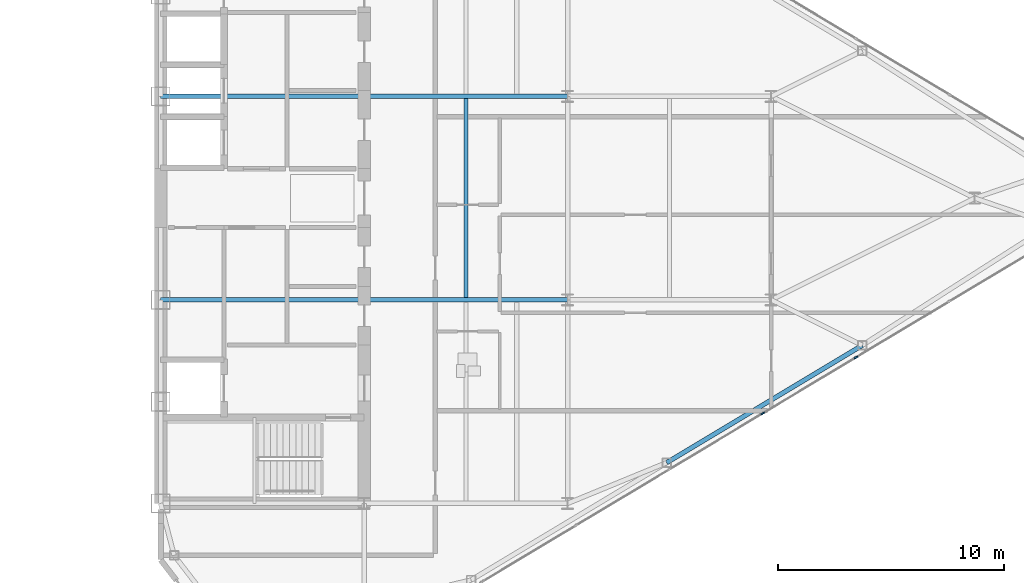
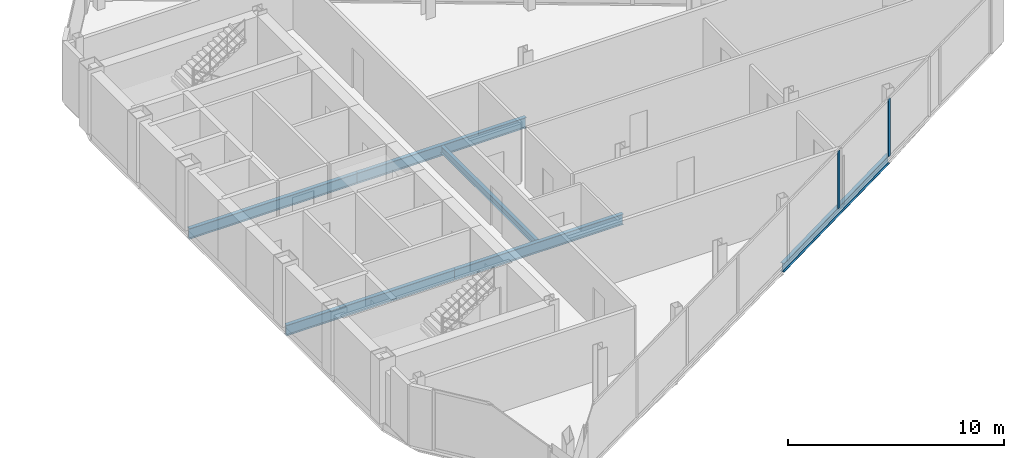
# One storey, part 13 of 25: 6 beams, 2 members, 1 element without a shape of its own.
"""IFC4 building model written with IfcOpenShell, lengths in metres."""

from ifc_helpers import new_model, si_unit, direction, frame, origin, origin_2d, place, context, subcontext, project, spatial, rectangle, i_section, extrude, source, transform, mapped, material, layer, layer_set, material_profile, profile_set, type_object, type_shapes, element, aggregate, save


model = new_model("IFC4")

# Units and contexts
model_context = context("Model", 3, precision=1e-05, world=origin(), true_north=direction((0.0, 1.0)))
body_context = subcontext(model_context, "Body", "Model", "MODEL_VIEW")
ifc_project = project(units=[si_unit("LENGTHUNIT", "METRE"), si_unit("AREAUNIT", "SQUARE_METRE"), si_unit("VOLUMEUNIT", "CUBIC_METRE"), si_unit("PLANEANGLEUNIT", "RADIAN"), si_unit("MASSUNIT", "GRAM", prefix="KILO")], contexts=[model_context])

# Site, building, storey
site_placement = place(None, origin())
site = spatial("IfcSite", under=ifc_project, at=site_placement, CompositionType="ELEMENT")
building_placement = place(site_placement, origin())
building = spatial("IfcBuilding", under=site, at=building_placement, Name="Seokmaru Belvedere", CompositionType="ELEMENT")
storey_placement = place(building_placement, frame((0.0, 0.0, 206.699951171875)))
storey = spatial("IfcBuildingStorey", under=building, at=storey_placement, Name="L55", CompositionType="ELEMENT", Elevation=206.699951171875)

# Beams
ifc_material_1 = material(Name="Steel SM355 (355 MPa)", Category="steel")
ifc_material_profile_1 = material_profile(ifc_material_1, i_section(OverallWidth=0.199951171875, OverallDepth=0.60009765625, WebThickness=0.010986328125, FlangeThickness=0.01708984375, at=origin_2d()), Name="H-600x200x11x17")
ifc_profile_set_1 = profile_set([ifc_material_profile_1], Name="Steel SM355 (355 MPa)")
beam_type_1 = type_object("IfcBeamType", Name="Primary Floor Girder H-600", PredefinedType="BEAM", material=ifc_profile_set_1)
shared_shape_1 = source(origin(), body_context, "Body", "SweptSolid", [
    extrude(i_section(OverallWidth=0.199951171875, OverallDepth=0.60009765625, WebThickness=0.010986328125, FlangeThickness=0.01708984375, at=origin_2d()), origin(), (0.0, 0.0, 1.0), 9.0),
])
type_shapes(beam_type_1, [shared_shape_1])
for number, where, z_axis, x_axis, name in (
    (1, (27.5, -4.5, -0.52001953125), (1.0, 0.0, 0.0), (0.0, 1.0, 0.0), "L55 E Core Tie Girder 2"),
    (2, (36.5, -4.5, -0.52001953125), (1.0, 0.0, 0.0), (0.0, 1.0, 0.0), "L55 E Wing Primary Girder 2"),
    (3, (27.5, 4.5, -0.52001953125), (1.0, 0.0, 0.0), (0.0, 1.0, 0.0), "L55 E Core Tie Girder 3"),
    (4, (36.5, 4.5, -0.52001953125), (1.0, 0.0, 0.0), (0.0, 1.0, 0.0), "L55 E Wing Primary Girder 3"),
):
    element("IfcBeam", number, at=place(storey_placement, frame(where, z_axis=z_axis, x_axis=x_axis)), inside=storey, type_object=beam_type_1, Name=name, PredefinedType="BEAM", context=body_context, shape_type="MappedRepresentation", body=[
        mapped(shared_shape_1, transform((0.0, 0.0, 0.0), scale=1.0)),
    ])
ifc_material_profile_2 = material_profile(ifc_material_1, i_section(OverallWidth=0.18505859375, OverallDepth=0.389892578125, WebThickness=0.008056640625, FlangeThickness=0.011962890625, at=origin_2d()), Name="H-390x185x8x12")
ifc_profile_set_2 = profile_set([ifc_material_profile_2], Name="Steel SM355 (355 MPa)")
beam_type_2 = type_object("IfcBeamType", Name="Secondary Floor Joist H-350", PredefinedType="JOIST", material=ifc_profile_set_2)
shared_shape_2 = source(origin(), body_context, "Body", "SweptSolid", [
    extrude(i_section(OverallWidth=0.18505859375, OverallDepth=0.389892578125, WebThickness=0.008056640625, FlangeThickness=0.011962890625, at=origin_2d()), origin(), (0.0, 0.0, 1.0), 8.7900390625),
])
type_shapes(beam_type_2, [shared_shape_2])
beam_1_placement = place(storey_placement, frame((41.0, -4.39501953125, -0.4150390625), z_axis=(0.0, 1.0, 0.0), x_axis=(-1.0, 0.0, 0.0)))
element("IfcBeam", 5, at=beam_1_placement, inside=storey, type_object=beam_type_2, Name="L55 E Secondary Floor Joist 2", PredefinedType="JOIST", context=body_context, shape_type="MappedRepresentation", body=[
    mapped(shared_shape_2, transform((0.0, 0.0, 0.0), scale=1.0)),
])
ifc_material_profile_3 = material_profile(ifc_material_1, i_section(OverallWidth=0.199951171875, OverallDepth=0.5, WebThickness=0.010009765625, FlangeThickness=0.01611328125, at=origin_2d()), Name="H-500x200x10x16")
ifc_profile_set_3 = profile_set([ifc_material_profile_3], Name="Steel SM355 (355 MPa)")
beam_type_3 = type_object("IfcBeamType", Name="Perimeter Spandrel Beam H-500", PredefinedType="SPANDREL", material=ifc_profile_set_3)
shared_shape_3 = source(origin(), body_context, "Body", "SweptSolid", [
    extrude(i_section(OverallWidth=0.199951171875, OverallDepth=0.5, WebThickness=0.010009765625, FlangeThickness=0.01611328125, at=origin_2d()), origin(), (0.0, 0.0, 1.0), 10.087646484375),
])
type_shapes(beam_type_3, [shared_shape_3])
beam_2_placement = place(storey_placement, frame((49.8798828125, -11.698974609375, -0.469970703125), z_axis=(0.857488654804, 0.514502873542, 0.0), x_axis=(-0.514502873542, 0.857488654804, 0.0)))
element("IfcBeam", 6, at=beam_2_placement, inside=storey, type_object=beam_type_3, Name="L55 E Faceted Flank Spandrel S-3", PredefinedType="SPANDREL", context=body_context, shape_type="MappedRepresentation", body=[
    mapped(shared_shape_3, transform((0.0, 0.0, 0.0), scale=1.0)),
])

# Curtain wall, members
ifc_material_2 = material(Name="Bronze Triple Insulating Glass", Category="glass")
ifc_layer = layer(ifc_material_2, 0.179931640625)
ifc_layer_set = layer_set([ifc_layer], Name="Bronze Triple Insulating Glass")
curtain_wall_type = type_object("IfcCurtainWallType", Name="High-Rise Wind-Corner Curtain Wall System CW-5", PredefinedType="NOTDEFINED", material=ifc_layer_set)
curtain_wall_placement = place(storey_placement, origin())
curtain_wall = element("IfcCurtainWall", 7, at=curtain_wall_placement, inside=storey, type_object=curtain_wall_type, Name="L55 Curtain Wall EF1", PredefinedType="NOTDEFINED")
ifc_material_3 = material(Name="Anodised Bronze Aluminium", Category="aluminium")
ifc_material_profile_4 = material_profile(ifc_material_3, rectangle(XDim=0.06494140625, YDim=0.179931640625, at=origin_2d()), Name="CW-M-65x180")
ifc_profile_set_4 = profile_set([ifc_material_profile_4], Name="Anodised Bronze Aluminium")
member_type = type_object("IfcMemberType", Name="Bronze Unitised Mullion 65x180", PredefinedType="MULLION", material=ifc_profile_set_4)
shared_shape_4 = source(origin(), body_context, "Body", "SweptSolid", [
    extrude(rectangle(XDim=0.06494140625, YDim=0.179931640625, at=origin_2d()), origin(), (0.0, 0.0, 1.0), 3.25),
])
type_shapes(member_type, [shared_shape_4])
member_1_placement = place(storey_placement, frame((54.12841796875, -9.52294921875, 0.06494140625), z_axis=(0.0, 0.0, 1.0), x_axis=(-0.514494909364, 0.85749343335, 0.0)))
member_1 = element("IfcMember", 8, at=member_1_placement, type_object=member_type, Name="CW:L55:EF1 Mullion 6", PredefinedType="MULLION", context=body_context, shape_type="MappedRepresentation", body=[
    mapped(shared_shape_4, transform((0.0, 0.0, 0.0), scale=1.0)),
])
member_2_placement = place(storey_placement, frame((58.257080078125, -7.0458984375, 0.06494140625), z_axis=(0.0, 0.0, 1.0), x_axis=(-0.514494909364, 0.85749343335, 0.0)))
member_2 = element("IfcMember", 9, at=member_2_placement, type_object=member_type, Name="CW:L55:EF1 Mullion 7", PredefinedType="MULLION", context=body_context, shape_type="MappedRepresentation", body=[
    mapped(shared_shape_4, transform((0.0, 0.0, 0.0), scale=1.0)),
])
aggregate(curtain_wall, [member_1, member_2])

save(model, "model.ifc")
